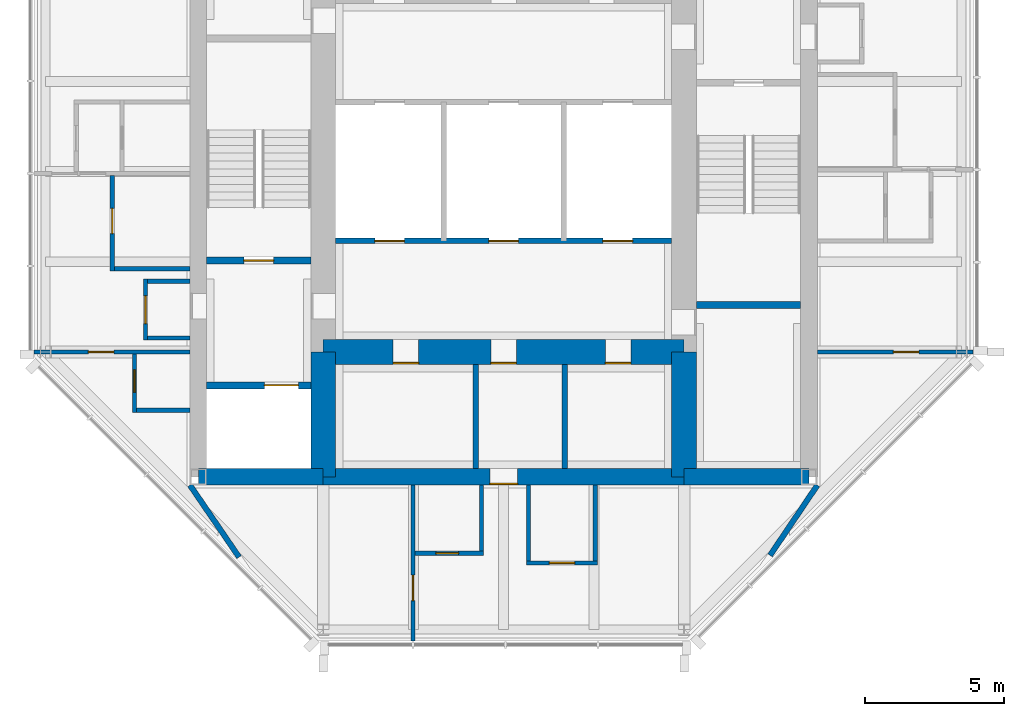
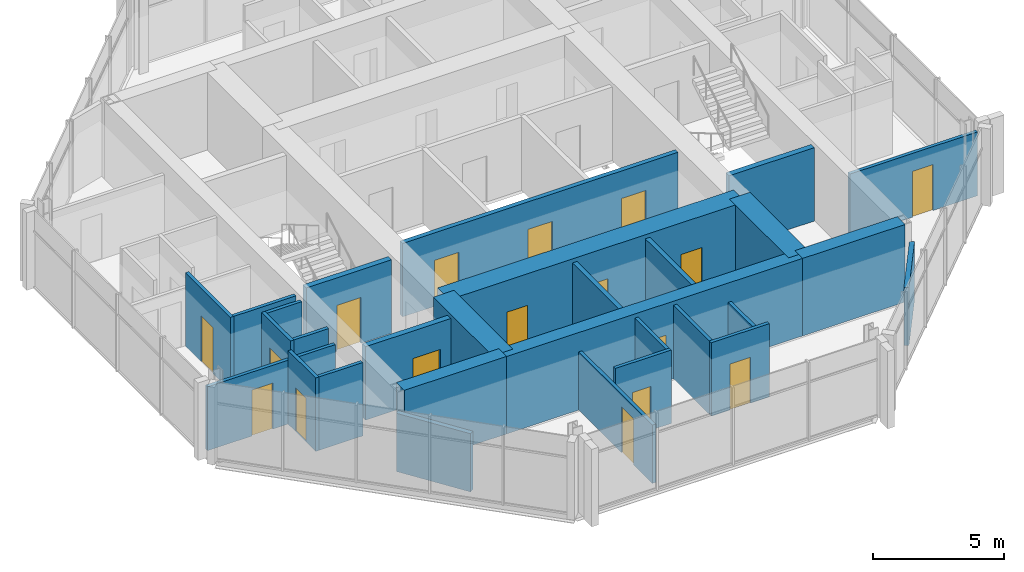
# One storey, part 5 of 9: 29 walls, 17 doors, 17 openings.
"""IFC4 building model written with IfcOpenShell, lengths in metres."""

from ifc_helpers import new_model, si_unit, direction, frame, frame_2d, origin, place, context, subcontext, project, spatial, rectangle, extrude, material, layer, layer_set, type_object, element, fill, save


model = new_model("IFC4")

# Units and contexts
model_context = context("Model", 3, precision=1e-05, world=origin(), true_north=direction((0.0, 1.0)))
body_context = subcontext(model_context, "Body", "Model", "MODEL_VIEW")
ifc_project = project(units=[si_unit("LENGTHUNIT", "METRE"), si_unit("AREAUNIT", "SQUARE_METRE"), si_unit("VOLUMEUNIT", "CUBIC_METRE"), si_unit("PLANEANGLEUNIT", "RADIAN"), si_unit("MASSUNIT", "GRAM", prefix="KILO")], contexts=[model_context])

# Site, building, storey
site_placement = place(None, origin())
site = spatial("IfcSite", under=ifc_project, at=site_placement, CompositionType="ELEMENT")
building_placement = place(site_placement, origin())
building = spatial("IfcBuilding", under=site, at=building_placement, Name="Trevanion Tower", CompositionType="ELEMENT")
storey_placement = place(building_placement, frame((0.0, 0.0, 277.60009765625)))
storey = spatial("IfcBuildingStorey", under=building, at=storey_placement, Name="L68", CompositionType="ELEMENT", Elevation=277.60009765625)

# Wall
ifc_material_1 = material(Name="Concrete 10,000 psi", Category="concrete")
ifc_layer_1 = layer(ifc_material_1, 0.60009765625)
ifc_layer_set_1 = layer_set([ifc_layer_1], Name="CW1 core wall 600")
wall_type_1 = type_object("IfcWallType", Name="CW1 core wall 600", PredefinedType="SHEAR", material=ifc_layer_set_1)
wall_1_placement = place(storey_placement, frame((-11.0, -11.0, 0.0), z_axis=(0.0, 0.0, 1.0), x_axis=(1.0, 0.0, 0.0)))
element("IfcWall", 1, at=wall_1_placement, inside=storey, type_object=wall_type_1, Name="CW1 CS1 L68", PredefinedType="SHEAR", context=body_context, shape_type="SweptSolid", body=[
    extrude(rectangle(XDim=4.5, YDim=0.60009765625, at=frame_2d((2.25, 0.0))), origin(), (0.0, 0.0, 1.0), 3.599853515625),
])

# Wall, opening, door
wall_2_placement = place(storey_placement, frame((-6.5, -11.0, 0.0), z_axis=(0.0, 0.0, 1.0), x_axis=(1.0, 0.0, 0.0)))
wall_2 = element("IfcWall", 2, at=wall_2_placement, inside=storey, type_object=wall_type_1, Name="CW1 CS2 L68", PredefinedType="SHEAR", context=body_context, shape_type="SweptSolid", body=[
    extrude(rectangle(XDim=13.0, YDim=0.60009765625, at=frame_2d((6.5, 0.0))), origin(), (0.0, 0.0, 1.0), 3.599853515625),
])
opening_1_placement = place(wall_2_placement, frame((6.0, 0.0, 0.0)))
opening_1 = element("IfcOpeningElement", 3, at=opening_1_placement, cuts=wall_2, Name="Opening 68-022", PredefinedType="OPENING", context=body_context, shape_type="SweptSolid", body=[
    extrude(rectangle(XDim=1.0, YDim=2.134033203125, at=frame_2d((0.5, 1.06689453125))), frame((0.0, 0.31005859375, 0.0), z_axis=(0.0, -1.0, 0.0), x_axis=(1.0, 0.0, 0.0)), (0.0, 0.0, 1.0), 0.6201171875),
])
ifc_material_2 = material(Name="Timber veneer on steel frame, fire rated", Category="steel")
door_type_1 = type_object("IfcDoorType", Name="D13 residence entrance door", OperationType="SINGLE_SWING_RIGHT", PredefinedType="DOOR", material=ifc_material_2)
door_1_placement = place(opening_1_placement, origin())
door_1 = element("IfcDoor", 4, at=door_1_placement, inside=storey, type_object=door_type_1, Name="Door 68-022", OperationType="SINGLE_SWING_RIGHT", OverallHeight=2.134033203125, OverallWidth=1.0, PredefinedType="DOOR", context=body_context, shape_type="SweptSolid", body=[
    extrude(rectangle(XDim=1.0, YDim=2.134033203125, at=frame_2d((0.5, 1.06689453125))), frame((0.0, -0.22509765625, 0.0), z_axis=(0.0, -1.0, 0.0), x_axis=(1.0, 0.0, 0.0)), (0.0, 0.0, 1.0), 0.050048828125),
])
fill(opening_1, door_1)

# Walls
wall_3_placement = place(storey_placement, frame((6.5, -11.0, 0.0), z_axis=(0.0, 0.0, 1.0), x_axis=(1.0, 0.0, 0.0)))
element("IfcWall", 5, at=wall_3_placement, inside=storey, type_object=wall_type_1, Name="CW1 CS3 L68", PredefinedType="SHEAR", context=body_context, shape_type="SweptSolid", body=[
    extrude(rectangle(XDim=4.5, YDim=0.60009765625, at=frame_2d((2.25, 0.0))), origin(), (0.0, 0.0, 1.0), 3.599853515625),
])
ifc_material_3 = material(Name="Concrete 10,000 psi", Category="concrete")
ifc_layer_2 = layer(ifc_material_3, 0.89990234375)
ifc_layer_set_2 = layer_set([ifc_layer_2], Name="CW2 core wall 900")
wall_type_2 = type_object("IfcWallType", Name="CW2 core wall 900", PredefinedType="SHEAR", material=ifc_layer_set_2)
for number, where, z_axis, x_axis, name in (
    (6, (6.5, -11.0, 0.0), (0.0, 0.0, 1.0), (0.0, 1.0, 0.0), "CW2 RE1 L68"),
    (7, (-6.5, -6.5, 0.0), (0.0, 0.0, 1.0), (0.0, -1.0, 0.0), "CW2 RW3 L68"),
):
    element("IfcWall", number, at=place(storey_placement, frame(where, z_axis=z_axis, x_axis=x_axis)), inside=storey, type_object=wall_type_2, Name=name, PredefinedType="SHEAR", context=body_context, shape_type="SweptSolid", body=[
        extrude(rectangle(XDim=4.5, YDim=0.89990234375, at=frame_2d((2.25, 0.0))), origin(), (0.0, 0.0, 1.0), 3.599853515625),
    ])

# Wall, openings, doors
wall_4_placement = place(storey_placement, frame((-6.5, -6.5, 0.0), z_axis=(0.0, 0.0, 1.0), x_axis=(1.0, 0.0, 0.0)))
wall_4 = element("IfcWall", 8, at=wall_4_placement, inside=storey, type_object=wall_type_2, Name="CW2 RS L68", PredefinedType="SHEAR", context=body_context, shape_type="SweptSolid", body=[
    extrude(rectangle(XDim=13.0, YDim=0.89990234375, at=frame_2d((6.5, 0.0))), origin(), (0.0, 0.0, 1.0), 3.599853515625),
])
opening_2_placement = place(wall_4_placement, frame((6.04248046875, 0.0, 0.0)))
opening_2 = element("IfcOpeningElement", 9, at=opening_2_placement, cuts=wall_4, Name="Opening 68-021", PredefinedType="OPENING", context=body_context, shape_type="SweptSolid", body=[
    extrude(rectangle(XDim=0.9150390625, YDim=2.134033203125, at=frame_2d((0.45751953125, 1.06689453125))), frame((0.0, 0.4599609375, 0.0), z_axis=(0.0, -1.0, 0.0), x_axis=(1.0, 0.0, 0.0)), (0.0, 0.0, 1.0), 0.919921875),
])
opening_3_placement = place(wall_4_placement, frame((2.517578125, 0.0, 0.0)))
opening_3 = element("IfcOpeningElement", 10, at=opening_3_placement, cuts=wall_4, Name="Opening 68-023", PredefinedType="OPENING", context=body_context, shape_type="SweptSolid", body=[
    extrude(rectangle(XDim=0.9150390625, YDim=2.134033203125, at=frame_2d((0.45751953125, 1.06689453125))), frame((0.0, 0.4599609375, 0.0), z_axis=(0.0, -1.0, 0.0), x_axis=(1.0, 0.0, 0.0)), (0.0, 0.0, 1.0), 0.919921875),
])
opening_4_placement = place(wall_4_placement, frame((10.16748046875, 0.0, 0.0)))
opening_4 = element("IfcOpeningElement", 11, at=opening_4_placement, cuts=wall_4, Name="Opening 68-024", PredefinedType="OPENING", context=body_context, shape_type="SweptSolid", body=[
    extrude(rectangle(XDim=0.9150390625, YDim=2.134033203125, at=frame_2d((0.45751953125, 1.06689453125))), frame((0.0, 0.4599609375, 0.0), z_axis=(0.0, -1.0, 0.0), x_axis=(1.0, 0.0, 0.0)), (0.0, 0.0, 1.0), 0.919921875),
])
ifc_material_4 = material(Name="Hollow metal, fire rated", Category="steel")
door_type_2 = type_object("IfcDoorType", Name="D3 fire lift lobby door", OperationType="SINGLE_SWING_RIGHT", PredefinedType="DOOR", material=ifc_material_4)
door_2_placement = place(opening_2_placement, origin())
door_2 = element("IfcDoor", 12, at=door_2_placement, inside=storey, type_object=door_type_2, Name="Door 68-021", OperationType="SINGLE_SWING_RIGHT", OverallHeight=2.134033203125, OverallWidth=0.9150390625, PredefinedType="DOOR", context=body_context, shape_type="SweptSolid", body=[
    extrude(rectangle(XDim=0.9150390625, YDim=2.134033203125, at=frame_2d((0.45751953125, 1.06689453125))), frame((0.0, -0.375, 0.0), z_axis=(0.0, -1.0, 0.0), x_axis=(1.0, 0.0, 0.0)), (0.0, 0.0, 1.0), 0.050048828125),
])
fill(opening_2, door_2)
ifc_material_5 = material(Name="Hollow metal, fire rated", Category="steel")
door_type_3 = type_object("IfcDoorType", Name="D5 service room door", OperationType="SINGLE_SWING_RIGHT", PredefinedType="DOOR", material=ifc_material_5)
door_3_placement = place(opening_3_placement, origin())
door_3 = element("IfcDoor", 13, at=door_3_placement, inside=storey, type_object=door_type_3, Name="Door 68-023", OperationType="SINGLE_SWING_RIGHT", OverallHeight=2.134033203125, OverallWidth=0.9150390625, PredefinedType="DOOR", context=body_context, shape_type="SweptSolid", body=[
    extrude(rectangle(XDim=0.9150390625, YDim=2.134033203125, at=frame_2d((0.45751953125, 1.06689453125))), frame((0.0, -0.375, 0.0), z_axis=(0.0, -1.0, 0.0), x_axis=(1.0, 0.0, 0.0)), (0.0, 0.0, 1.0), 0.050048828125),
])
fill(opening_3, door_3)
door_4_placement = place(opening_4_placement, origin())
door_4 = element("IfcDoor", 14, at=door_4_placement, inside=storey, type_object=door_type_3, Name="Door 68-024", OperationType="SINGLE_SWING_RIGHT", OverallHeight=2.134033203125, OverallWidth=0.9150390625, PredefinedType="DOOR", context=body_context, shape_type="SweptSolid", body=[
    extrude(rectangle(XDim=0.9150390625, YDim=2.134033203125, at=frame_2d((0.45751953125, 1.06689453125))), frame((0.0, -0.375, 0.0), z_axis=(0.0, -1.0, 0.0), x_axis=(1.0, 0.0, 0.0)), (0.0, 0.0, 1.0), 0.050048828125),
])
fill(opening_4, door_4)

# Wall, opening, door
ifc_material_6 = material(Name="Gypsum board on steel studs", Category="steel")
ifc_layer_3 = layer(ifc_material_6, 0.14990234375)
ifc_layer_set_3 = layer_set([ifc_layer_3], Name="PT1 partition 150")
wall_type_3 = type_object("IfcWallType", Name="PT1 partition 150", PredefinedType="PARTITIONING", material=ifc_layer_set_3)
wall_5_placement = place(storey_placement, frame((11.300048828125, -6.5, 0.0), z_axis=(0.0, 0.0, 1.0), x_axis=(1.0, 0.0, 0.0)))
wall_5 = element("IfcWall", 15, at=wall_5_placement, inside=storey, type_object=wall_type_3, Name="PT1 L68 REC0", PredefinedType="PARTITIONING", context=body_context, shape_type="SweptSolid", body=[
    extrude(rectangle(XDim=5.614990234375, YDim=0.14990234375, at=frame_2d((2.8076171875, 0.0))), origin(), (0.0, 0.0, 1.0), 2.965576171875),
])
opening_5_placement = place(wall_5_placement, frame((2.742431640625, 0.0, 0.0)))
opening_5 = element("IfcOpeningElement", 16, at=opening_5_placement, cuts=wall_5, Name="Opening 68-031", PredefinedType="OPENING", context=body_context, shape_type="SweptSolid", body=[
    extrude(rectangle(XDim=0.9150390625, YDim=2.134033203125, at=frame_2d((0.45751953125, 1.06689453125))), frame((0.0, 0.0849609375, 0.0), z_axis=(0.0, -1.0, 0.0), x_axis=(1.0, 0.0, 0.0)), (0.0, 0.0, 1.0), 0.169921875),
])
ifc_material_7 = material(Name="Timber veneer, solid core", Category="wood")
door_type_4 = type_object("IfcDoorType", Name="D1 office and meeting room door", OperationType="SINGLE_SWING_LEFT", PredefinedType="DOOR", material=ifc_material_7)
door_5_placement = place(opening_5_placement, origin())
door_5 = element("IfcDoor", 17, at=door_5_placement, inside=storey, type_object=door_type_4, Name="Door 68-031", OperationType="SINGLE_SWING_LEFT", OverallHeight=2.134033203125, OverallWidth=0.9150390625, PredefinedType="DOOR", context=body_context, shape_type="SweptSolid", body=[
    extrude(rectangle(XDim=0.9150390625, YDim=2.134033203125, at=frame_2d((0.45751953125, 1.06689453125))), frame((0.0, 0.02490234375, 0.0), z_axis=(0.0, -1.0, 0.0), x_axis=(1.0, 0.0, 0.0)), (0.0, 0.0, 1.0), 0.050048828125),
])
fill(opening_5, door_5)

wall_6_placement = place(storey_placement, frame((-11.300048828125, -6.5, 0.0), z_axis=(0.0, 0.0, 1.0), x_axis=(-1.0, 0.0, 0.0)))
wall_6 = element("IfcWall", 18, at=wall_6_placement, inside=storey, type_object=wall_type_3, Name="PT1 L68 RWC2", PredefinedType="PARTITIONING", context=body_context, shape_type="SweptSolid", body=[
    extrude(rectangle(XDim=5.614990234375, YDim=0.14990234375, at=frame_2d((2.8076171875, 0.0))), origin(), (0.0, 0.0, 1.0), 2.965576171875),
])
opening_6_placement = place(wall_6_placement, frame((2.742431640625, 0.0, 0.0)))
opening_6 = element("IfcOpeningElement", 19, at=opening_6_placement, cuts=wall_6, Name="Opening 68-045", PredefinedType="OPENING", context=body_context, shape_type="SweptSolid", body=[
    extrude(rectangle(XDim=0.9150390625, YDim=2.134033203125, at=frame_2d((0.45751953125, 1.06689453125))), frame((0.0, 0.0849609375, 0.0), z_axis=(0.0, -1.0, 0.0), x_axis=(1.0, 0.0, 0.0)), (0.0, 0.0, 1.0), 0.169921875),
])
door_6_placement = place(opening_6_placement, origin())
door_6 = element("IfcDoor", 20, at=door_6_placement, inside=storey, type_object=door_type_4, Name="Door 68-045", OperationType="SINGLE_SWING_LEFT", OverallHeight=2.134033203125, OverallWidth=0.9150390625, PredefinedType="DOOR", context=body_context, shape_type="SweptSolid", body=[
    extrude(rectangle(XDim=0.9150390625, YDim=2.134033203125, at=frame_2d((0.45751953125, 1.06689453125))), frame((0.0, 0.02490234375, 0.0), z_axis=(0.0, -1.0, 0.0), x_axis=(1.0, 0.0, 0.0)), (0.0, 0.0, 1.0), 0.050048828125),
])
fill(opening_6, door_6)

# Walls
for number, where, z_axis, x_axis, name in (
    (21, (-11.300048828125, -3.949951171875, 0.0), (0.0, 0.0, 1.0), (-1.0, 0.0, 0.0), "PT1 L68 RWEA"),
    (22, (-11.300048828125, -6.0, 0.0), (0.0, 0.0, 1.0), (-1.0, 0.0, 0.0), "PT1 L68 RWEB"),
):
    element("IfcWall", number, at=place(storey_placement, frame(where, z_axis=z_axis, x_axis=x_axis)), inside=storey, type_object=wall_type_3, Name=name, PredefinedType="PARTITIONING", context=body_context, shape_type="SweptSolid", body=[
        extrude(rectangle(XDim=1.52490234375, YDim=0.14990234375, at=frame_2d((0.762451171875, 0.0))), origin(), (0.0, 0.0, 1.0), 3.409912109375),
    ])

# Wall, opening, door
wall_7_placement = place(storey_placement, frame((-14.10009765625, -0.139892578125, 0.0), z_axis=(0.0, 0.0, 1.0), x_axis=(0.0, -1.0, 0.0)))
wall_7 = element("IfcWall", 23, at=wall_7_placement, inside=storey, type_object=wall_type_3, Name="PT1 L68 RWKF", PredefinedType="PARTITIONING", context=body_context, shape_type="SweptSolid", body=[
    extrude(rectangle(XDim=3.43505859375, YDim=0.14990234375, at=frame_2d((1.717529296875, 0.0))), origin(), (0.0, 0.0, 1.0), 3.409912109375),
])
opening_7_placement = place(wall_7_placement, frame((1.18505859375, 0.0, 0.0)))
opening_7 = element("IfcOpeningElement", 24, at=opening_7_placement, cuts=wall_7, Name="Opening 68-038", PredefinedType="OPENING", context=body_context, shape_type="SweptSolid", body=[
    extrude(rectangle(XDim=0.9150390625, YDim=2.134033203125, at=frame_2d((0.45751953125, 1.06689453125))), frame((0.0, 0.0849609375, 0.0), z_axis=(0.0, -1.0, 0.0), x_axis=(1.0, 0.0, 0.0)), (0.0, 0.0, 1.0), 0.169921875),
])
door_7_placement = place(opening_7_placement, origin())
door_7 = element("IfcDoor", 25, at=door_7_placement, inside=storey, type_object=door_type_4, Name="Door 68-038", OperationType="SINGLE_SWING_LEFT", OverallHeight=2.134033203125, OverallWidth=0.9150390625, PredefinedType="DOOR", context=body_context, shape_type="SweptSolid", body=[
    extrude(rectangle(XDim=0.9150390625, YDim=2.134033203125, at=frame_2d((0.45751953125, 1.06689453125))), frame((0.0, 0.02490234375, 0.0), z_axis=(0.0, -1.0, 0.0), x_axis=(1.0, 0.0, 0.0)), (0.0, 0.0, 1.0), 0.050048828125),
])
fill(opening_7, door_7)

# Wall
wall_8_placement = place(storey_placement, frame((-11.300048828125, -3.5, 0.0), z_axis=(0.0, 0.0, 1.0), x_axis=(-1.0, 0.0, 0.0)))
element("IfcWall", 26, at=wall_8_placement, inside=storey, type_object=wall_type_3, Name="PT1 L68 RWKB", PredefinedType="PARTITIONING", context=body_context, shape_type="SweptSolid", body=[
    extrude(rectangle(XDim=2.724853515625, YDim=0.14990234375, at=frame_2d((1.3623046875, 0.0))), origin(), (0.0, 0.0, 1.0), 3.409912109375),
])

# Wall, opening, door
wall_9_placement = place(storey_placement, frame((-13.300048828125, -6.574951171875, 0.0), z_axis=(0.0, 0.0, 1.0), x_axis=(0.0, -1.0, 0.0)))
wall_9 = element("IfcWall", 27, at=wall_9_placement, inside=storey, type_object=wall_type_3, Name="PT1 L68 RWWF", PredefinedType="PARTITIONING", context=body_context, shape_type="SweptSolid", body=[
    extrude(rectangle(XDim=2.10009765625, YDim=0.14990234375, at=frame_2d((1.050048828125, 0.0))), origin(), (0.0, 0.0, 1.0), 3.409912109375),
])
opening_8_placement = place(wall_9_placement, frame((0.568603515625, 0.0, 0.0)))
opening_8 = element("IfcOpeningElement", 28, at=opening_8_placement, cuts=wall_9, Name="Opening 68-039", PredefinedType="OPENING", context=body_context, shape_type="SweptSolid", body=[
    extrude(rectangle(XDim=0.81298828125, YDim=2.031982421875, at=frame_2d((0.406494140625, 1.01611328125))), frame((0.0, 0.0849609375, 0.0), z_axis=(0.0, -1.0, 0.0), x_axis=(1.0, 0.0, 0.0)), (0.0, 0.0, 1.0), 0.169921875),
])
ifc_material_8 = material(Name="Timber veneer", Category="wood")
door_type_5 = type_object("IfcDoorType", Name="D14 residence bathroom door", OperationType="SINGLE_SWING_LEFT", PredefinedType="DOOR", material=ifc_material_8)
door_8_placement = place(opening_8_placement, origin())
door_8 = element("IfcDoor", 29, at=door_8_placement, inside=storey, type_object=door_type_5, Name="Door 68-039", OperationType="SINGLE_SWING_LEFT", OverallHeight=2.031982421875, OverallWidth=0.81298828125, PredefinedType="DOOR", context=body_context, shape_type="SweptSolid", body=[
    extrude(rectangle(XDim=0.81298828125, YDim=2.031982421875, at=frame_2d((0.406494140625, 1.01611328125))), frame((0.0, 0.02490234375, 0.0), z_axis=(0.0, -1.0, 0.0), x_axis=(1.0, 0.0, 0.0)), (0.0, 0.0, 1.0), 0.050048828125),
])
fill(opening_8, door_8)

# Wall
wall_10_placement = place(storey_placement, frame((-11.300048828125, -8.60009765625, 0.0), z_axis=(0.0, 0.0, 1.0), x_axis=(-1.0, 0.0, 0.0)))
element("IfcWall", 30, at=wall_10_placement, inside=storey, type_object=wall_type_3, Name="PT1 L68 RWWB", PredefinedType="PARTITIONING", context=body_context, shape_type="SweptSolid", body=[
    extrude(rectangle(XDim=1.925048828125, YDim=0.14990234375, at=frame_2d((0.96240234375, 0.0))), origin(), (0.0, 0.0, 1.0), 3.409912109375),
])

# Wall, opening, door
wall_11_placement = place(storey_placement, frame((-3.26611328125, -11.300048828125, 0.0), z_axis=(0.0, 0.0, 1.0), x_axis=(0.0, -1.0, 0.0)))
wall_11 = element("IfcWall", 31, at=wall_11_placement, inside=storey, type_object=wall_type_3, Name="PT1 L68 RSC0", PredefinedType="PARTITIONING", context=body_context, shape_type="SweptSolid", body=[
    extrude(rectangle(XDim=5.614990234375, YDim=0.14990234375, at=frame_2d((2.8076171875, 0.0))), origin(), (0.0, 0.0, 1.0), 2.708984375),
])
opening_9_placement = place(wall_11_placement, frame((3.242431640625, 0.0, 0.0)))
opening_9 = element("IfcOpeningElement", 32, at=opening_9_placement, cuts=wall_11, Name="Opening 68-048", PredefinedType="OPENING", context=body_context, shape_type="SweptSolid", body=[
    extrude(rectangle(XDim=0.9150390625, YDim=2.134033203125, at=frame_2d((0.45751953125, 1.06689453125))), frame((0.0, 0.0849609375, 0.0), z_axis=(0.0, -1.0, 0.0), x_axis=(1.0, 0.0, 0.0)), (0.0, 0.0, 1.0), 0.169921875),
])
door_9_placement = place(opening_9_placement, origin())
door_9 = element("IfcDoor", 33, at=door_9_placement, inside=storey, type_object=door_type_4, Name="Door 68-048", OperationType="SINGLE_SWING_LEFT", OverallHeight=2.134033203125, OverallWidth=0.9150390625, PredefinedType="DOOR", context=body_context, shape_type="SweptSolid", body=[
    extrude(rectangle(XDim=0.9150390625, YDim=2.134033203125, at=frame_2d((0.45751953125, 1.06689453125))), frame((0.0, 0.02490234375, 0.0), z_axis=(0.0, -1.0, 0.0), x_axis=(1.0, 0.0, 0.0)), (0.0, 0.0, 1.0), 0.050048828125),
])
fill(opening_9, door_9)

wall_12_placement = place(storey_placement, frame((0.824951171875, -14.10009765625, 0.0), z_axis=(0.0, 0.0, 1.0), x_axis=(1.0, 0.0, 0.0)))
wall_12 = element("IfcWall", 34, at=wall_12_placement, inside=storey, type_object=wall_type_3, Name="PT1 L68 RSKF", PredefinedType="PARTITIONING", context=body_context, shape_type="SweptSolid", body=[
    extrude(rectangle(XDim=2.550048828125, YDim=0.14990234375, at=frame_2d((1.27490234375, 0.0))), origin(), (0.0, 0.0, 1.0), 3.409912109375),
])
opening_10_placement = place(wall_12_placement, frame((0.8173828125, 0.0, 0.0)))
opening_10 = element("IfcOpeningElement", 35, at=opening_10_placement, cuts=wall_12, Name="Opening 68-046", PredefinedType="OPENING", context=body_context, shape_type="SweptSolid", body=[
    extrude(rectangle(XDim=0.9150390625, YDim=2.134033203125, at=frame_2d((0.45751953125, 1.06689453125))), frame((0.0, 0.0849609375, 0.0), z_axis=(0.0, -1.0, 0.0), x_axis=(1.0, 0.0, 0.0)), (0.0, 0.0, 1.0), 0.169921875),
])
door_10_placement = place(opening_10_placement, origin())
door_10 = element("IfcDoor", 36, at=door_10_placement, inside=storey, type_object=door_type_4, Name="Door 68-046", OperationType="SINGLE_SWING_LEFT", OverallHeight=2.134033203125, OverallWidth=0.9150390625, PredefinedType="DOOR", context=body_context, shape_type="SweptSolid", body=[
    extrude(rectangle(XDim=0.9150390625, YDim=2.134033203125, at=frame_2d((0.45751953125, 1.06689453125))), frame((0.0, 0.02490234375, 0.0), z_axis=(0.0, -1.0, 0.0), x_axis=(1.0, 0.0, 0.0)), (0.0, 0.0, 1.0), 0.050048828125),
])
fill(opening_10, door_10)

# Walls
wall_13_placement = place(storey_placement, frame((0.89990234375, -11.300048828125, 0.0), z_axis=(0.0, 0.0, 1.0), x_axis=(0.0, -1.0, 0.0)))
element("IfcWall", 37, at=wall_13_placement, inside=storey, type_object=wall_type_3, Name="PT1 L68 RSKA", PredefinedType="PARTITIONING", context=body_context, shape_type="SweptSolid", body=[
    extrude(rectangle(XDim=2.724853515625, YDim=0.14990234375, at=frame_2d((1.3623046875, 0.0))), origin(), (0.0, 0.0, 1.0), 3.409912109375),
])
wall_14_placement = place(storey_placement, frame((3.300048828125, -11.300048828125, 0.0), z_axis=(0.0, 0.0, 1.0), x_axis=(0.0, -1.0, 0.0)))
element("IfcWall", 38, at=wall_14_placement, inside=storey, type_object=wall_type_3, Name="PT1 L68 RSKB", PredefinedType="PARTITIONING", context=body_context, shape_type="SweptSolid", body=[
    extrude(rectangle(XDim=2.724853515625, YDim=0.14990234375, at=frame_2d((1.3623046875, 0.0))), origin(), (0.0, 0.0, 1.0), 2.708984375),
])

# Wall, opening, door
wall_15_placement = place(storey_placement, frame((-3.19091796875, -13.75, 0.0), z_axis=(0.0, 0.0, 1.0), x_axis=(1.0, 0.0, 0.0)))
wall_15 = element("IfcWall", 39, at=wall_15_placement, inside=storey, type_object=wall_type_3, Name="PT1 L68 RSTF", PredefinedType="PARTITIONING", context=body_context, shape_type="SweptSolid", body=[
    extrude(rectangle(XDim=2.4658203125, YDim=0.14990234375, at=frame_2d((1.23291015625, 0.0))), origin(), (0.0, 0.0, 1.0), 3.409912109375),
])
opening_11_placement = place(wall_15_placement, frame((0.75146484375, 0.0, 0.0)))
opening_11 = element("IfcOpeningElement", 40, at=opening_11_placement, cuts=wall_15, Name="Opening 68-047", PredefinedType="OPENING", context=body_context, shape_type="SweptSolid", body=[
    extrude(rectangle(XDim=0.81298828125, YDim=2.031982421875, at=frame_2d((0.406494140625, 1.01611328125))), frame((0.0, 0.0849609375, 0.0), z_axis=(0.0, -1.0, 0.0), x_axis=(1.0, 0.0, 0.0)), (0.0, 0.0, 1.0), 0.169921875),
])
door_11_placement = place(opening_11_placement, origin())
door_11 = element("IfcDoor", 41, at=door_11_placement, inside=storey, type_object=door_type_5, Name="Door 68-047", OperationType="SINGLE_SWING_LEFT", OverallHeight=2.031982421875, OverallWidth=0.81298828125, PredefinedType="DOOR", context=body_context, shape_type="SweptSolid", body=[
    extrude(rectangle(XDim=0.81298828125, YDim=2.031982421875, at=frame_2d((0.406494140625, 1.01611328125))), frame((0.0, 0.02490234375, 0.0), z_axis=(0.0, -1.0, 0.0), x_axis=(1.0, 0.0, 0.0)), (0.0, 0.0, 1.0), 0.050048828125),
])
fill(opening_11, door_11)

# Wall
wall_16_placement = place(storey_placement, frame((-0.800048828125, -11.300048828125, 0.0), z_axis=(0.0, 0.0, 1.0), x_axis=(0.0, -1.0, 0.0)))
element("IfcWall", 42, at=wall_16_placement, inside=storey, type_object=wall_type_3, Name="PT1 L68 RSTB", PredefinedType="PARTITIONING", context=body_context, shape_type="SweptSolid", body=[
    extrude(rectangle(XDim=2.375, YDim=0.14990234375, at=frame_2d((1.1875, 0.0))), origin(), (0.0, 0.0, 1.0), 3.409912109375),
])

# Wall, opening, door
ifc_material_9 = material(Name="Gypsum board on steel studs", Category="steel")
ifc_layer_4 = layer(ifc_material_9, 0.14990234375)
ifc_layer_set_4 = layer_set([ifc_layer_4], Name="PT1 partition 150 1 HR")
wall_type_4 = type_object("IfcWallType", Name="PT1 partition 150 1 HR", PredefinedType="PARTITIONING", material=ifc_layer_set_4)
wall_17_placement = place(storey_placement, frame((-12.89990234375, -3.875, 0.0), z_axis=(0.0, 0.0, 1.0), x_axis=(0.0, -1.0, 0.0)))
wall_17 = element("IfcWall", 43, at=wall_17_placement, inside=storey, type_object=wall_type_4, Name="PT1 L68 RWEF", PredefinedType="PARTITIONING", context=body_context, shape_type="SweptSolid", body=[
    extrude(rectangle(XDim=2.199951171875, YDim=0.14990234375, at=frame_2d((1.10009765625, 0.0))), origin(), (0.0, 0.0, 1.0), 3.409912109375),
])
opening_12_placement = place(wall_17_placement, frame((0.60009765625, 0.0, 0.0)))
opening_12 = element("IfcOpeningElement", 44, at=opening_12_placement, cuts=wall_17, Name="Opening 68-037", PredefinedType="OPENING", context=body_context, shape_type="SweptSolid", body=[
    extrude(rectangle(XDim=1.0, YDim=2.134033203125, at=frame_2d((0.5, 1.06689453125))), frame((0.0, 0.0849609375, 0.0), z_axis=(0.0, -1.0, 0.0), x_axis=(1.0, 0.0, 0.0)), (0.0, 0.0, 1.0), 0.169921875),
])
door_12_placement = place(opening_12_placement, origin())
door_12 = element("IfcDoor", 45, at=door_12_placement, inside=storey, type_object=door_type_1, Name="Door 68-037", OperationType="SINGLE_SWING_RIGHT", OverallHeight=2.134033203125, OverallWidth=1.0, PredefinedType="DOOR", context=body_context, shape_type="SweptSolid", body=[
    extrude(rectangle(XDim=1.0, YDim=2.134033203125, at=frame_2d((0.5, 1.06689453125))), frame((0.0, 0.02490234375, 0.0), z_axis=(0.0, -1.0, 0.0), x_axis=(1.0, 0.0, 0.0)), (0.0, 0.0, 1.0), 0.050048828125),
])
fill(opening_12, door_12)

# Wall, openings, doors
ifc_material_10 = material(Name="Concrete masonry, grouted", Category="masonry")
ifc_layer_5 = layer(ifc_material_10, 0.199951171875)
ifc_layer_set_5 = layer_set([ifc_layer_5], Name="PT2 partition 200 1 HR")
wall_type_5 = type_object("IfcWallType", Name="PT2 partition 200 1 HR", PredefinedType="PARTITIONING", material=ifc_layer_set_5)
wall_18_placement = place(storey_placement, frame((6.050048828125, -2.5, 0.0), z_axis=(0.0, 0.0, 1.0), x_axis=(-1.0, 0.0, 0.0)))
wall_18 = element("IfcWall", 46, at=wall_18_placement, inside=storey, type_object=wall_type_5, Name="PT2 L68 CP2", PredefinedType="PARTITIONING", context=body_context, shape_type="SweptSolid", body=[
    extrude(rectangle(XDim=12.10009765625, YDim=0.199951171875, at=frame_2d((6.050048828125, 0.0))), origin(), (0.0, 0.0, 1.0), 3.409912109375),
])
opening_13_placement = place(wall_18_placement, frame((9.624755859375, 0.0, 0.0)))
opening_13 = element("IfcOpeningElement", 47, at=opening_13_placement, cuts=wall_18, Name="Opening 68-012", PredefinedType="OPENING", context=body_context, shape_type="SweptSolid", body=[
    extrude(rectangle(XDim=1.06689453125, YDim=2.134033203125, at=frame_2d((0.533447265625, 1.06689453125))), frame((0.0, 0.10986328125, 0.0), z_axis=(0.0, -1.0, 0.0), x_axis=(1.0, 0.0, 0.0)), (0.0, 0.0, 1.0), 0.219970703125),
])
opening_14_placement = place(wall_18_placement, frame((5.5166015625, 0.0, 0.0)))
opening_14 = element("IfcOpeningElement", 48, at=opening_14_placement, cuts=wall_18, Name="Opening 68-014", PredefinedType="OPENING", context=body_context, shape_type="SweptSolid", body=[
    extrude(rectangle(XDim=1.06689453125, YDim=2.134033203125, at=frame_2d((0.533447265625, 1.06689453125))), frame((0.0, 0.10986328125, 0.0), z_axis=(0.0, -1.0, 0.0), x_axis=(1.0, 0.0, 0.0)), (0.0, 0.0, 1.0), 0.219970703125),
])
opening_15_placement = place(wall_18_placement, frame((1.408203125, 0.0, 0.0)))
opening_15 = element("IfcOpeningElement", 49, at=opening_15_placement, cuts=wall_18, Name="Opening 68-016", PredefinedType="OPENING", context=body_context, shape_type="SweptSolid", body=[
    extrude(rectangle(XDim=1.06689453125, YDim=2.134033203125, at=frame_2d((0.533447265625, 1.06689453125))), frame((0.0, 0.10986328125, 0.0), z_axis=(0.0, -1.0, 0.0), x_axis=(1.0, 0.0, 0.0)), (0.0, 0.0, 1.0), 0.219970703125),
])
ifc_material_11 = material(Name="Stainless steel, fire rated", Category="steel")
door_type_6 = type_object("IfcDoorType", Name="LD1 lift landing door", OperationType="SLIDING_TO_LEFT", PredefinedType="DOOR", material=ifc_material_11)
door_13_placement = place(opening_13_placement, origin())
door_13 = element("IfcDoor", 50, at=door_13_placement, inside=storey, type_object=door_type_6, Name="Door 68-012", OperationType="SLIDING_TO_LEFT", OverallHeight=2.134033203125, OverallWidth=1.06689453125, PredefinedType="DOOR", context=body_context, shape_type="SweptSolid", body=[
    extrude(rectangle(XDim=1.06689453125, YDim=2.134033203125, at=frame_2d((0.533447265625, 1.06689453125))), frame((0.0, 0.02490234375, 0.0), z_axis=(0.0, -1.0, 0.0), x_axis=(1.0, 0.0, 0.0)), (0.0, 0.0, 1.0), 0.050048828125),
])
fill(opening_13, door_13)
door_14_placement = place(opening_14_placement, origin())
door_14 = element("IfcDoor", 51, at=door_14_placement, inside=storey, type_object=door_type_6, Name="Door 68-014", OperationType="SLIDING_TO_LEFT", OverallHeight=2.134033203125, OverallWidth=1.06689453125, PredefinedType="DOOR", context=body_context, shape_type="SweptSolid", body=[
    extrude(rectangle(XDim=1.06689453125, YDim=2.134033203125, at=frame_2d((0.533447265625, 1.06689453125))), frame((0.0, 0.02490234375, 0.0), z_axis=(0.0, -1.0, 0.0), x_axis=(1.0, 0.0, 0.0)), (0.0, 0.0, 1.0), 0.050048828125),
])
fill(opening_14, door_14)
door_15_placement = place(opening_15_placement, origin())
door_15 = element("IfcDoor", 52, at=door_15_placement, inside=storey, type_object=door_type_6, Name="Door 68-016", OperationType="SLIDING_TO_LEFT", OverallHeight=2.134033203125, OverallWidth=1.06689453125, PredefinedType="DOOR", context=body_context, shape_type="SweptSolid", body=[
    extrude(rectangle(XDim=1.06689453125, YDim=2.134033203125, at=frame_2d((0.533447265625, 1.06689453125))), frame((0.0, 0.02490234375, 0.0), z_axis=(0.0, -1.0, 0.0), x_axis=(1.0, 0.0, 0.0)), (0.0, 0.0, 1.0), 0.050048828125),
])
fill(opening_15, door_15)

# Walls
for number, where, z_axis, x_axis, name in (
    (53, (-1.0, -6.949951171875, 0.0), (0.0, 0.0, 1.0), (0.0, -1.0, 0.0), "PT2 L68 CSP1"),
    (54, (2.199951171875, -6.949951171875, 0.0), (0.0, 0.0, 1.0), (0.0, -1.0, 0.0), "PT2 L68 CSP2"),
):
    element("IfcWall", number, at=place(storey_placement, frame(where, z_axis=z_axis, x_axis=x_axis)), inside=storey, type_object=wall_type_5, Name=name, PredefinedType="PARTITIONING", context=body_context, shape_type="SweptSolid", body=[
        extrude(rectangle(XDim=3.75, YDim=0.199951171875, at=frame_2d((1.875, 0.0))), origin(), (0.0, 0.0, 1.0), 3.409912109375),
    ])
wall_19_placement = place(storey_placement, frame((-11.300048828125, -11.300048828125, 0.0), z_axis=(0.0, 0.0, 1.0), x_axis=(0.563469639691, -0.826136771453, 0.0)))
element("IfcWall", 55, at=wall_19_placement, inside=storey, type_object=wall_type_5, Name="PT2 L68 UB2", PredefinedType="PARTITIONING", context=body_context, shape_type="SweptSolid", body=[
    extrude(rectangle(XDim=3.136962890625, YDim=0.199951171875, at=frame_2d((1.568359375, 0.0))), origin(), (0.0, 0.0, 1.0), 2.70361328125),
])
wall_20_placement = place(storey_placement, frame((11.300048828125, -11.300048828125, 0.0), z_axis=(0.0, 0.0, 1.0), x_axis=(-0.558834300538, -0.829279340477, 0.0)))
element("IfcWall", 56, at=wall_20_placement, inside=storey, type_object=wall_type_5, Name="PT2 L68 UB3", PredefinedType="PARTITIONING", context=body_context, shape_type="SweptSolid", body=[
    extrude(rectangle(XDim=3.047607421875, YDim=0.199951171875, at=frame_2d((1.52392578125, 0.0))), origin(), (0.0, 0.0, 1.0), 2.70361328125),
])

# Wall, opening, door
ifc_material_12 = material(Name="Concrete masonry, grouted, two-hour", Category="masonry")
ifc_layer_6 = layer(ifc_material_12, 0.25)
ifc_layer_set_6 = layer_set([ifc_layer_6], Name="PT3 partition 250 2 HR")
wall_type_6 = type_object("IfcWallType", Name="PT3 partition 250 2 HR", PredefinedType="PARTITIONING", material=ifc_layer_set_6)
wall_21_placement = place(storey_placement, frame((-6.949951171875, -7.699951171875, 0.0), z_axis=(0.0, 0.0, 1.0), x_axis=(-1.0, 0.0, 0.0)))
wall_21 = element("IfcWall", 57, at=wall_21_placement, inside=storey, type_object=wall_type_6, Name="PT3 L68 WP3", PredefinedType="PARTITIONING", context=body_context, shape_type="SweptSolid", body=[
    extrude(rectangle(XDim=3.75, YDim=0.25, at=frame_2d((1.875, 0.0))), origin(), (0.0, 0.0, 1.0), 3.409912109375),
])
opening_16_placement = place(wall_21_placement, frame((0.449951171875, 0.0, 0.0)))
opening_16 = element("IfcOpeningElement", 58, at=opening_16_placement, cuts=wall_21, Name="Opening 68-008", PredefinedType="OPENING", context=body_context, shape_type="SweptSolid", body=[
    extrude(rectangle(XDim=1.218994140625, YDim=2.134033203125, at=frame_2d((0.609375, 1.06689453125))), frame((0.0, 0.135009765625, 0.0), z_axis=(0.0, -1.0, 0.0), x_axis=(1.0, 0.0, 0.0)), (0.0, 0.0, 1.0), 0.27001953125),
])
ifc_material_13 = material(Name="Stainless steel, fire rated", Category="steel")
door_type_7 = type_object("IfcDoorType", Name="LD2 fire service lift landing door", OperationType="SLIDING_TO_LEFT", PredefinedType="DOOR", material=ifc_material_13)
door_16_placement = place(opening_16_placement, origin())
door_16 = element("IfcDoor", 59, at=door_16_placement, inside=storey, type_object=door_type_7, Name="Door 68-008", OperationType="SLIDING_TO_LEFT", OverallHeight=2.134033203125, OverallWidth=1.218994140625, PredefinedType="DOOR", context=body_context, shape_type="SweptSolid", body=[
    extrude(rectangle(XDim=1.218994140625, YDim=2.134033203125, at=frame_2d((0.609375, 1.06689453125))), frame((0.0, 0.02490234375, 0.0), z_axis=(0.0, -1.0, 0.0), x_axis=(1.0, 0.0, 0.0)), (0.0, 0.0, 1.0), 0.050048828125),
])
fill(opening_16, door_16)

# Wall
ifc_material_14 = material(Name="Reinforced masonry, fully grouted", Category="masonry")
ifc_layer_7 = layer(ifc_material_14, 0.25)
ifc_layer_set_7 = layer_set([ifc_layer_7], Name="SW1 stair shaft wall 250")
wall_type_7 = type_object("IfcWallType", Name="SW1 stair shaft wall 250", PredefinedType="SOLIDWALL", material=ifc_layer_set_7)
wall_22_placement = place(storey_placement, frame((6.949951171875, -4.800048828125, 0.0), z_axis=(0.0, 0.0, 1.0), x_axis=(1.0, 0.0, 0.0)))
element("IfcWall", 60, at=wall_22_placement, inside=storey, type_object=wall_type_7, Name="SW1 L68 EP1", PredefinedType="SOLIDWALL", context=body_context, shape_type="SweptSolid", body=[
    extrude(rectangle(XDim=3.75, YDim=0.25, at=frame_2d((1.875, 0.0))), origin(), (0.0, 0.0, 1.0), 3.409912109375),
])

# Wall, opening, door
wall_23_placement = place(storey_placement, frame((-6.949951171875, -3.199951171875, 0.0), z_axis=(0.0, 0.0, 1.0), x_axis=(-1.0, 0.0, 0.0)))
wall_23 = element("IfcWall", 61, at=wall_23_placement, inside=storey, type_object=wall_type_7, Name="SW1 L68 WP2", PredefinedType="SOLIDWALL", context=body_context, shape_type="SweptSolid", body=[
    extrude(rectangle(XDim=3.75, YDim=0.25, at=frame_2d((1.875, 0.0))), origin(), (0.0, 0.0, 1.0), 3.409912109375),
])
opening_17_placement = place(wall_23_placement, frame((1.341552734375, 0.0, 0.0)))
opening_17 = element("IfcOpeningElement", 62, at=opening_17_placement, cuts=wall_23, Name="Opening 68-006", PredefinedType="OPENING", context=body_context, shape_type="SweptSolid", body=[
    extrude(rectangle(XDim=1.06689453125, YDim=2.134033203125, at=frame_2d((0.533447265625, 1.06689453125))), frame((0.0, 0.135009765625, 0.0), z_axis=(0.0, -1.0, 0.0), x_axis=(1.0, 0.0, 0.0)), (0.0, 0.0, 1.0), 0.27001953125),
])
ifc_material_15 = material(Name="Hollow metal, fire rated", Category="steel")
door_type_8 = type_object("IfcDoorType", Name="D2 exit stair door", OperationType="SINGLE_SWING_LEFT", PredefinedType="DOOR", material=ifc_material_15)
door_17_placement = place(opening_17_placement, origin())
door_17 = element("IfcDoor", 63, at=door_17_placement, inside=storey, type_object=door_type_8, Name="Door 68-006", OperationType="SINGLE_SWING_LEFT", OverallHeight=2.134033203125, OverallWidth=1.06689453125, PredefinedType="DOOR", context=body_context, shape_type="SweptSolid", body=[
    extrude(rectangle(XDim=1.06689453125, YDim=2.134033203125, at=frame_2d((0.533447265625, 1.06689453125))), frame((0.0, 0.02490234375, 0.0), z_axis=(0.0, -1.0, 0.0), x_axis=(1.0, 0.0, 0.0)), (0.0, 0.0, 1.0), 0.050048828125),
])
fill(opening_17, door_17)

save(model, "model.ifc")
